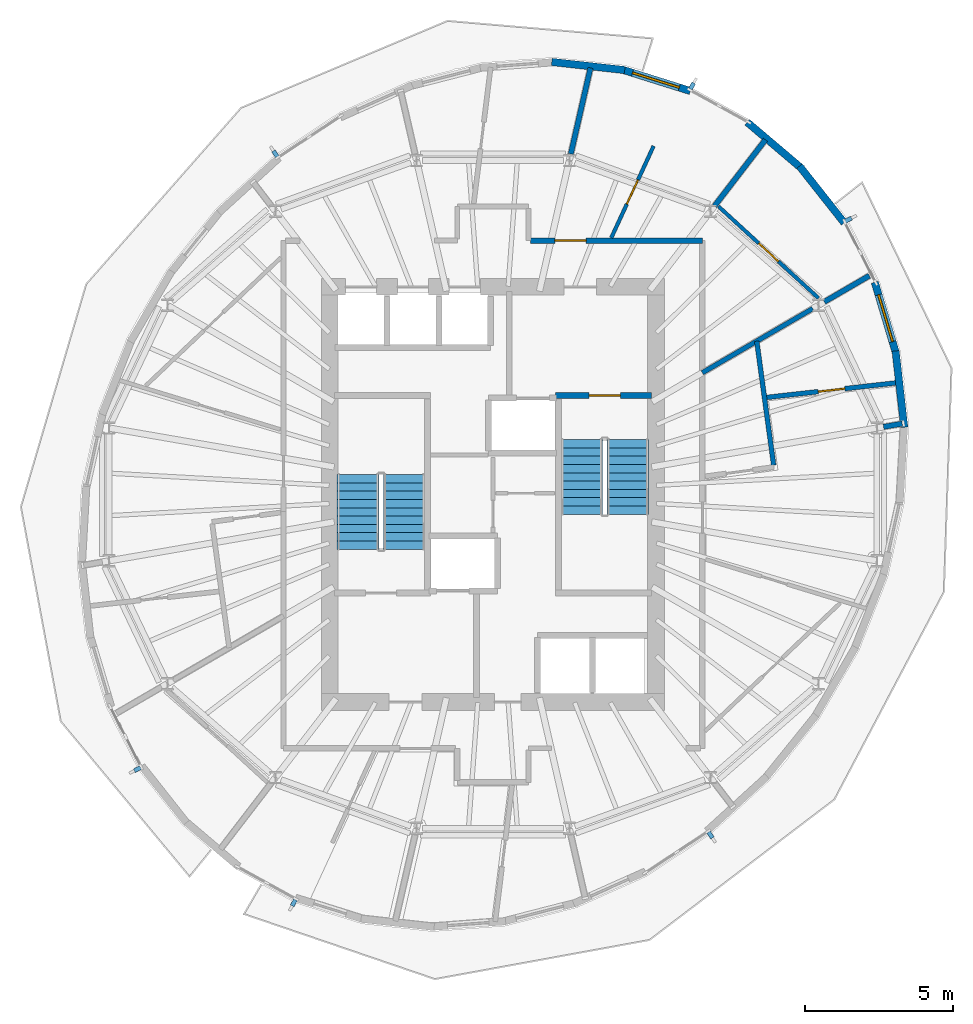
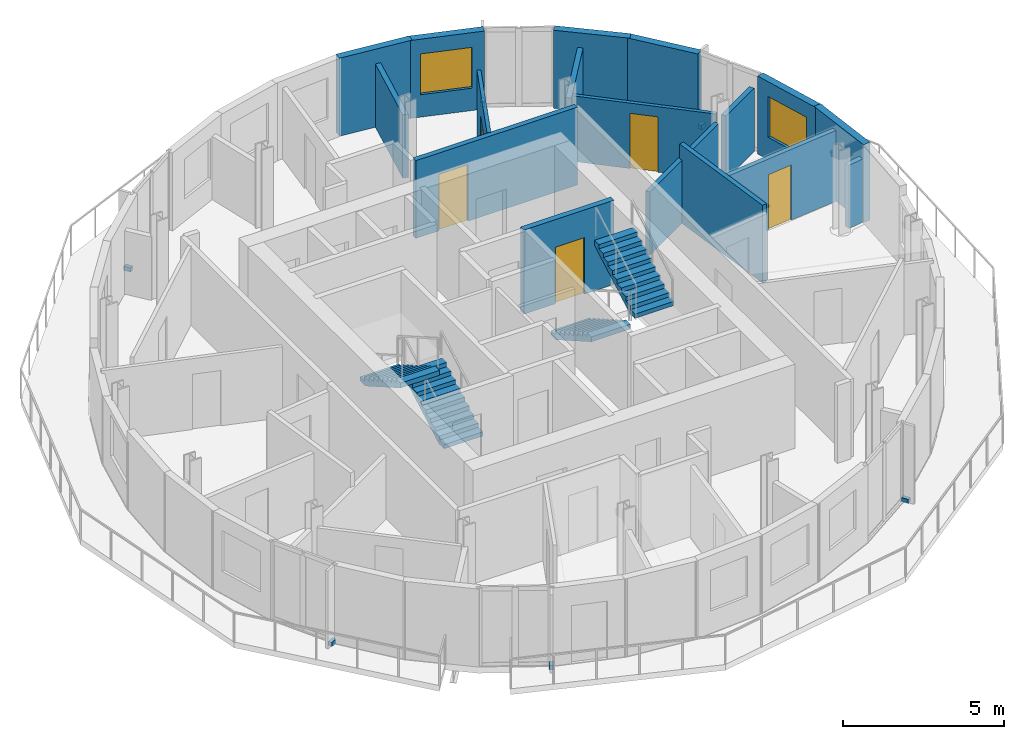
# One storey, part 7 of 11: 17 walls, 6 discrete accessories, 5 doors, 4 stair flights, 2 windows, 7 openings, 2 elements without a shape of their own.
"""IFC4 building model written with IfcOpenShell, lengths in metres."""

import ifcopenshell
import ifcopenshell.guid

model = None  # the IFC model being written
_history = None  # IfcOwnerHistory: only IFC2X3 demands one
_inside = {}  # id of a spatial element -> (the spatial element, [elements in it])
_under = {}  # id of a project, library or spatial element -> (it, [spatial elements below it])
_declared = {}  # id of a project -> (the project, [libraries it declares])
_typed = {}  # id of a type object -> (the type object, [elements of that type])
_made_of = {}  # id of a material, layer set ... -> (it, [elements and type objects made of it])


def new_model(schema):
    """Start an empty IFC model of exactly this schema.

    Asked for "IFC4X3", IfcOpenShell would pick the latest addendum, in which some entities
    have other attributes; the version numbers below select the first issue.
    IFC2X3 requires an IfcOwnerHistory on every rooted entity: one is made here for all.
    """
    global model, _history
    if schema == "IFC4X3":
        model = ifcopenshell.file(schema_version=(4, 3, 0, 0))
    else:
        model = ifcopenshell.file(schema=schema)
    _inside.clear()
    _under.clear()
    _declared.clear()
    _typed.clear()
    _made_of.clear()
    _history = None
    if model.schema == "IFC2X3":
        org = make("IfcOrganization", Name="unknown")
        user = make(
            "IfcPersonAndOrganization",
            ThePerson=make("IfcPerson", FamilyName="unknown"),
            TheOrganization=org,
        )
        app = make(
            "IfcApplication",
            ApplicationDeveloper=org,
            Version="unknown",
            ApplicationFullName="unknown",
            ApplicationIdentifier="unknown",
        )
        _history = make(
            "IfcOwnerHistory",
            OwningUser=user,
            OwningApplication=app,
            ChangeAction="ADDED",
            CreationDate=0,
        )
    return model


def make(cls, **values):
    """One entity of the class cls with the attributes given. An attribute that is None is left unset."""
    return model.create_entity(
        cls, **{name: value for name, value in values.items() if value is not None}
    )


def rooted(cls, **values):
    """An entity with a GlobalId (a new one), such as an element, a storey or a relation."""
    return make(cls, GlobalId=ifcopenshell.guid.new(), OwnerHistory=_history, **values)


def si_unit(unit_type, name, prefix=None):
    """IfcSIUnit, for example si_unit("LENGTHUNIT", "METRE", prefix="MILLI")."""
    return make("IfcSIUnit", UnitType=unit_type, Prefix=prefix, Name=name)


def assignment(units):
    """IfcUnitAssignment: the units of a project."""
    return None if units is None else make("IfcUnitAssignment", Units=units)


def point(xyz):
    """IfcCartesianPoint."""
    return None if xyz is None else make("IfcCartesianPoint", Coordinates=xyz)


def direction(xyz):
    """IfcDirection."""
    return None if xyz is None else make("IfcDirection", DirectionRatios=xyz)


def frame(location, z_axis=None, x_axis=None):
    """IfcAxis2Placement3D, a coordinate frame: its origin and axes. An axis left out is left unset."""
    return make(
        "IfcAxis2Placement3D",
        Location=point(location),
        Axis=direction(z_axis),
        RefDirection=direction(x_axis),
    )


def frame_2d(location, x_axis=None):
    """IfcAxis2Placement2D, a coordinate frame in the plane: its origin and x axis."""
    return make(
        "IfcAxis2Placement2D", Location=point(location), RefDirection=direction(x_axis)
    )


def origin():
    """The frame at (0, 0, 0) with its axes left unset."""
    return frame((0.0, 0.0, 0.0))


def origin_2d():
    """The frame at (0, 0) in the plane with its x axis left unset."""
    return frame_2d((0.0, 0.0))


def place(relative_to, where):
    """IfcLocalPlacement: puts the frame where relative to a parent placement (None: the world)."""
    return make(
        "IfcLocalPlacement", PlacementRelTo=relative_to, RelativePlacement=where
    )


def context(
    kind, dimensions, precision=None, world=None, true_north=None, identifier=None
):
    """IfcGeometricRepresentationContext, for example the 3D "Model" context."""
    return make(
        "IfcGeometricRepresentationContext",
        ContextIdentifier=identifier,
        ContextType=kind,
        CoordinateSpaceDimension=dimensions,
        Precision=precision,
        WorldCoordinateSystem=world,
        TrueNorth=true_north,
    )


def subcontext(parent, identifier, kind, view, scale=None):
    """IfcGeometricRepresentationSubContext, for example "Body" below "Model"."""
    return make(
        "IfcGeometricRepresentationSubContext",
        ContextIdentifier=identifier,
        ContextType=kind,
        ParentContext=parent,
        TargetScale=scale,
        TargetView=view,
    )


def project(units=None, contexts=None):
    """IfcProject with its units and contexts."""
    return rooted(
        "IfcProject",
        Name="project",
        RepresentationContexts=contexts,
        UnitsInContext=assignment(units),
    )


def spatial(cls, under=None, at=None, **own):
    """A site, building, storey or space (cls), placed at a placement, below another one or the project."""
    s = rooted(cls, ObjectPlacement=at, **own)
    if under is not None:
        _under.setdefault(under.id(), (under, []))[1].append(s)
    return s


def polyline(points):
    """IfcPolyline through the points."""
    return make("IfcPolyline", Points=[point(p) for p in points])


def profile(cls, at=None, kind="AREA", **sizes):
    """A parametric profile (cls). Its sizes go by their IFC names, for example OverallWidth=200.0."""
    return make(cls, ProfileType=kind, Position=at, **sizes)


def rectangle(**sizes):
    """IfcRectangleProfileDef."""
    return profile("IfcRectangleProfileDef", **sizes)


def outline(outer, holes=None, kind="AREA"):
    """IfcArbitraryClosedProfileDef: a profile drawn as a closed curve; with holes, ...WithVoids."""
    if holes is None:
        return make("IfcArbitraryClosedProfileDef", ProfileType=kind, OuterCurve=outer)
    return make(
        "IfcArbitraryProfileDefWithVoids",
        ProfileType=kind,
        OuterCurve=outer,
        InnerCurves=holes,
    )


def extrude(swept, where, along, depth):
    """IfcExtrudedAreaSolid: the profile swept, set in the frame where, extruded along a direction by depth."""
    return make(
        "IfcExtrudedAreaSolid",
        SweptArea=swept,
        Position=where,
        ExtrudedDirection=direction(along),
        Depth=depth,
    )


def shape(context_of_items, identifier, shape_type, items):
    """IfcShapeRepresentation: the items that make up one representation, for example the "Body"."""
    return make(
        "IfcShapeRepresentation",
        ContextOfItems=context_of_items,
        RepresentationIdentifier=identifier,
        RepresentationType=shape_type,
        Items=items,
    )


def material(Name=None, Category=None):
    """IfcMaterial."""
    return make("IfcMaterial", Name=Name, Category=Category)


def layer(
    of_material, thickness, ventilated=None, Name=None, Category=None, Priority=None
):
    """IfcMaterialLayer: one layer of a wall or slab, of a material (None: an air gap)."""
    return make(
        "IfcMaterialLayer",
        Material=of_material,
        LayerThickness=thickness,
        IsVentilated=ventilated,
        Name=Name,
        Category=Category,
        Priority=Priority,
    )


def layer_set(layers, Name=None):
    """IfcMaterialLayerSet."""
    return make("IfcMaterialLayerSet", MaterialLayers=layers, LayerSetName=Name)


def made_of(thing, what):
    """Note that an element or type object is made of a material, layer set ...; save() writes the relation."""
    if what is not None:
        _made_of.setdefault(what.id(), (what, []))[1].append(thing)
    return thing


def type_object(cls, material=None, **own):
    """A type object (cls), such as IfcWallType, which elements share."""
    return made_of(rooted(cls, **own), material)


def element(
    cls,
    number,
    at=None,
    inside=None,
    cuts=None,
    type_object=None,
    material=None,
    context=None,
    identifier="Body",
    shape_type=None,
    held_by="IfcProductDefinitionShape",
    body=None,
    shapes=None,
    **own,
):
    """One element of the class cls, such as IfcWall. Its Tag is "e" and its number.

    at: its placement. inside: the storey or other place that contains it. cuts: it is an
    opening in that element (IfcRelVoidsElement). A single representation is given by context,
    identifier, shape_type and body (its items); several are given by shapes. held_by: the class
    of the entity that holds the representations. save() writes the other relations.
    """
    e = rooted(cls, Tag="e%d" % number, ObjectPlacement=at, **own)
    if body is not None:
        shapes = [shape(context, identifier, shape_type, body)]
    if shapes is not None:
        e.Representation = make(held_by, Representations=shapes)
    if inside is not None:
        _inside.setdefault(inside.id(), (inside, []))[1].append(e)
    if cuts is not None:
        rooted(
            "IfcRelVoidsElement", RelatingBuildingElement=cuts, RelatedOpeningElement=e
        )
    if type_object is not None:
        _typed.setdefault(type_object.id(), (type_object, []))[1].append(e)
    return made_of(e, material)


def fill(opening, filler):
    """IfcRelFillsElement: the door or window that sits in an opening."""
    return rooted(
        "IfcRelFillsElement",
        RelatingOpeningElement=opening,
        RelatedBuildingElement=filler,
    )


def aggregate(whole, parts):
    """IfcRelAggregates: a whole, such as a stair, and the parts it consists of."""
    return rooted("IfcRelAggregates", RelatingObject=whole, RelatedObjects=parts)


def save(model, path):
    """Write the relations noted so far, then the file.

    IfcRelAggregates (storeys below a building ...), IfcRelContainedInSpatialStructure (elements
    in a storey), IfcRelDefinesByType, IfcRelAssociatesMaterial and IfcRelDeclares: one each for
    every whole, place, type object, material and project.
    """
    for whole, parts in _under.values():
        aggregate(whole, parts)
    for where, things in _inside.values():
        rooted(
            "IfcRelContainedInSpatialStructure",
            RelatedElements=things,
            RelatingStructure=where,
        )
    for kind, things in _typed.values():
        rooted("IfcRelDefinesByType", RelatedObjects=things, RelatingType=kind)
    for what, things in _made_of.values():
        rooted("IfcRelAssociatesMaterial", RelatedObjects=things, RelatingMaterial=what)
    for by, libraries in _declared.values():
        rooted("IfcRelDeclares", RelatingContext=by, RelatedDefinitions=libraries)
    model.write(path)


model = new_model("IFC4")

# Units and contexts
model_context = context("Model", 3, precision=1e-05, world=origin(), true_north=direction((0.0, 1.0)))
body_context = subcontext(model_context, "Body", "Model", "MODEL_VIEW")
ifc_project = project(units=[si_unit("LENGTHUNIT", "METRE"), si_unit("AREAUNIT", "SQUARE_METRE"), si_unit("VOLUMEUNIT", "CUBIC_METRE"), si_unit("PLANEANGLEUNIT", "RADIAN"), si_unit("MASSUNIT", "GRAM", prefix="KILO")], contexts=[model_context])

# Site, building, storey
site_placement = place(None, origin())
site = spatial("IfcSite", under=ifc_project, at=site_placement, CompositionType="ELEMENT")
building_placement = place(site_placement, origin())
building = spatial("IfcBuilding", under=site, at=building_placement, Name="Veldorim Arch Residences", CompositionType="ELEMENT")
storey_placement = place(building_placement, frame((0.0, 0.0, 223.840087890625)))
storey = spatial("IfcBuildingStorey", under=building, at=storey_placement, Name="L67", CompositionType="ELEMENT", Elevation=223.840087890625)

# Wall, opening, door
ifc_material_1 = material(Name="Acoustic Gypsum Board", Category="gypsum")
ifc_layer_1 = layer(ifc_material_1, 0.125, Name="Acoustic Stud Room Partition Wall 125")
ifc_layer_set_1 = layer_set([ifc_layer_1], Name="Acoustic Gypsum Board")
wall_type_1 = type_object("IfcWallType", Name="Acoustic Stud Room Partition Wall 125", PredefinedType="PARTITIONING", material=ifc_layer_set_1)
wall_1_placement = place(storey_placement, frame((37.417236328125, 35.74658203125, 0.0), z_axis=(0.0, 0.0, 1.0), x_axis=(-0.41880384085, -0.908076727424, 0.0)))
wall_1 = element("IfcWall", 1, at=wall_1_placement, inside=storey, type_object=wall_type_1, Name="L67 interior wall WL-RES-L67-027", PredefinedType="PARTITIONING", context=body_context, shape_type="SweptSolid", body=[
    extrude(rectangle(XDim=3.4091796875, YDim=0.125, at=frame_2d((1.70458984375, 0.0))), origin(), (0.0, 0.0, 1.0), 2.954833984375),
])
opening_1_placement = place(wall_1_placement, frame((1.254638671875, 0.0, 0.0)))
opening_1 = element("IfcOpeningElement", 2, at=opening_1_placement, cuts=wall_1, Name="Opening DR-INT", PredefinedType="OPENING", context=body_context, shape_type="SweptSolid", body=[
    extrude(rectangle(XDim=0.89990234375, YDim=2.10009765625, at=frame_2d((0.449951171875, 1.050048828125))), frame((0.0, 0.072509765625, 0.0), z_axis=(0.0, -1.0, 0.0), x_axis=(1.0, 0.0, 0.0)), (0.0, 0.0, 1.0), 0.14501953125),
])
ifc_material_2 = material(Name="Engineered Timber", Category="wood")
door_type_1 = type_object("IfcDoorType", Name="Apartment Internal Room Timber Door 900x2100", OperationType="SINGLE_SWING_LEFT", PredefinedType="DOOR", material=ifc_material_2)
door_1_placement = place(opening_1_placement, origin())
door_1 = element("IfcDoor", 3, at=door_1_placement, inside=storey, type_object=door_type_1, Name="L67 interior door DR-RES-L67-012", OperationType="SINGLE_SWING_RIGHT", OverallHeight=2.10009765625, OverallWidth=0.89990234375, PredefinedType="DOOR", context=body_context, shape_type="SweptSolid", body=[
    extrude(rectangle(XDim=0.89990234375, YDim=2.10009765625, at=frame_2d((0.449951171875, 1.050048828125))), frame((0.0, 0.02490234375, 0.0), z_axis=(0.0, -1.0, 0.0), x_axis=(1.0, 0.0, 0.0)), (0.0, 0.0, 1.0), 0.050048828125),
])
fill(opening_1, door_1)

wall_2_placement = place(storey_placement, frame((39.606689453125, 33.7119140625, 0.0), z_axis=(0.0, 0.0, 1.0), x_axis=(0.736828890574, -0.676079274949, 0.0)))
wall_2 = element("IfcWall", 4, at=wall_2_placement, inside=storey, type_object=wall_type_1, Name="L67 interior wall WL-RES-L67-028", PredefinedType="PARTITIONING", context=body_context, shape_type="SweptSolid", body=[
    extrude(rectangle(XDim=4.58154296875, YDim=0.125, at=frame_2d((2.290771484375, 0.0))), origin(), (0.0, 0.0, 1.0), 2.48779296875),
])
opening_2_placement = place(wall_2_placement, frame((1.8408203125, 0.0, 0.0)))
opening_2 = element("IfcOpeningElement", 5, at=opening_2_placement, cuts=wall_2, Name="Opening DR-INT", PredefinedType="OPENING", context=body_context, shape_type="SweptSolid", body=[
    extrude(rectangle(XDim=0.89990234375, YDim=2.10009765625, at=frame_2d((0.449951171875, 1.050048828125))), frame((0.0, 0.072509765625, 0.0), z_axis=(0.0, -1.0, 0.0), x_axis=(1.0, 0.0, 0.0)), (0.0, 0.0, 1.0), 0.14501953125),
])
door_2_placement = place(opening_2_placement, origin())
door_2 = element("IfcDoor", 6, at=door_2_placement, inside=storey, type_object=door_type_1, Name="L67 interior door DR-RES-L67-013", OperationType="SINGLE_SWING_LEFT", OverallHeight=2.10009765625, OverallWidth=0.89990234375, PredefinedType="DOOR", context=body_context, shape_type="SweptSolid", body=[
    extrude(rectangle(XDim=0.89990234375, YDim=2.10009765625, at=frame_2d((0.449951171875, 1.050048828125))), frame((0.0, 0.02490234375, 0.0), z_axis=(0.0, -1.0, 0.0), x_axis=(1.0, 0.0, 0.0)), (0.0, 0.0, 1.0), 0.050048828125),
])
fill(opening_2, door_2)

# Walls
ifc_material_3 = material(Name="Lightweight Masonry Block & Gypsum", Category="masonry")
ifc_layer_2 = layer(ifc_material_3, 0.179931640625, Name="Compartment & Corridor Fire-Rated Party Wall 180")
ifc_layer_set_2 = layer_set([ifc_layer_2], Name="Lightweight Masonry Block & Gypsum")
wall_type_2 = type_object("IfcWallType", Name="Compartment & Corridor Fire-Rated Party Wall 180", PredefinedType="PARTITIONING", material=ifc_layer_set_2)
wall_3_placement = place(storey_placement, frame((45.172607421875, 26.27880859375, 0.0), z_axis=(0.0, 0.0, 1.0), x_axis=(0.985371537423, 0.170419873359, 0.0)))
element("IfcWall", 7, at=wall_3_placement, inside=storey, type_object=wall_type_2, Name="L67 interior wall WL-PIER-L67-01", PredefinedType="PARTITIONING", context=body_context, shape_type="SweptSolid", body=[
    extrude(rectangle(XDim=0.637451171875, YDim=0.179931640625, at=frame_2d((0.31884765625, 0.0))), origin(), (0.0, 0.0, 1.0), 2.4033203125),
])
wall_4_placement = place(storey_placement, frame((43.173828125, 30.4931640625, 0.0), z_axis=(0.0, 0.0, 1.0), x_axis=(0.864599922959, 0.502460917106, 0.0)))
element("IfcWall", 8, at=wall_4_placement, inside=storey, type_object=wall_type_2, Name="L67 interior wall WL-PIER-L67-02", PredefinedType="PARTITIONING", context=body_context, shape_type="SweptSolid", body=[
    extrude(rectangle(XDim=1.755615234375, YDim=0.179931640625, at=frame_2d((0.8779296875, 0.0))), origin(), (0.0, 0.0, 1.0), 2.4033203125),
])
wall_5_placement = place(storey_placement, frame((39.473388671875, 33.727294921875, 0.0), z_axis=(0.0, 0.0, 1.0), x_axis=(0.609232660573, 0.792991529142, 0.0)))
element("IfcWall", 9, at=wall_5_placement, inside=storey, type_object=wall_type_2, Name="L67 interior wall WL-PIER-L67-03", PredefinedType="PARTITIONING", context=body_context, shape_type="SweptSolid", body=[
    extrude(rectangle(XDim=2.81396484375, YDim=0.179931640625, at=frame_2d((1.406982421875, 0.0))), origin(), (0.0, 0.0, 1.0), 2.4033203125),
])
wall_6_placement = place(storey_placement, frame((34.62646484375, 35.483154296875, 0.0), z_axis=(0.0, 0.0, 1.0), x_axis=(0.22291168124, 0.974838644272, 0.0)))
element("IfcWall", 10, at=wall_6_placement, inside=storey, type_object=wall_type_2, Name="L67 interior wall WL-PIER-L67-04", PredefinedType="PARTITIONING", context=body_context, shape_type="SweptSolid", body=[
    extrude(rectangle(XDim=2.975830078125, YDim=0.179931640625, at=frame_2d((1.48779296875, 0.0))), origin(), (0.0, 0.0, 1.0), 2.4033203125),
])

# Wall, opening, door
wall_7_placement = place(storey_placement, frame((33.260009765625, 32.56005859375, 0.0), z_axis=(0.0, 0.0, 1.0), x_axis=(1.0, 0.0, 0.0)))
wall_7 = element("IfcWall", 11, at=wall_7_placement, inside=storey, type_object=wall_type_2, Name="L67 interior wall WL-RES-L67-011", PredefinedType="PARTITIONING", context=body_context, shape_type="SweptSolid", body=[
    extrude(rectangle(XDim=5.800048828125, YDim=0.179931640625, at=frame_2d((2.89990234375, 0.0))), origin(), (0.0, 0.0, 1.0), 2.954833984375),
])
opening_3_placement = place(wall_7_placement, frame((0.829833984375, 0.0, 0.0)))
opening_3 = element("IfcOpeningElement", 12, at=opening_3_placement, cuts=wall_7, Name="Opening DR-FLT", PredefinedType="OPENING", context=body_context, shape_type="SweptSolid", body=[
    extrude(rectangle(XDim=1.050048828125, YDim=2.14990234375, at=frame_2d((0.52490234375, 1.074951171875))), frame((0.0, 0.099853515625, 0.0), z_axis=(0.0, -1.0, 0.0), x_axis=(1.0, 0.0, 0.0)), (0.0, 0.0, 1.0), 0.199951171875),
])
ifc_material_4 = material(Name="Fire-Rated Timber", Category="wood")
door_type_2 = type_object("IfcDoorType", Name="Apartment Entrance Solid-Core Fire Door 1050x2150", OperationType="SINGLE_SWING_LEFT", PredefinedType="DOOR", material=ifc_material_4)
door_3_placement = place(opening_3_placement, origin())
door_3 = element("IfcDoor", 13, at=door_3_placement, inside=storey, type_object=door_type_2, Name="L67 interior door DR-RES-L67-010", OperationType="SINGLE_SWING_RIGHT", OverallHeight=2.14990234375, OverallWidth=1.050048828125, PredefinedType="DOOR", context=body_context, shape_type="SweptSolid", body=[
    extrude(rectangle(XDim=1.050048828125, YDim=2.14990234375, at=frame_2d((0.52490234375, 1.074951171875))), frame((0.0, 0.02490234375, 0.0), z_axis=(0.0, -1.0, 0.0), x_axis=(1.0, 0.0, 0.0)), (0.0, 0.0, 1.0), 0.050048828125),
])
fill(opening_3, door_3)

ifc_material_5 = material(Name="Concrete C50/60", Category="concrete")
ifc_layer_3 = layer(ifc_material_5, 0.199951171875, Name="Core Stair & Lift Shaft Enclosure Wall 200")
ifc_layer_set_3 = layer_set([ifc_layer_3], Name="Concrete C50/60")
wall_type_3 = type_object("IfcWallType", Name="Core Stair & Lift Shaft Enclosure Wall 200", PredefinedType="SHEAR", material=ifc_layer_set_3)
wall_8_placement = place(storey_placement, frame((34.110107421875, 27.330078125, 0.0), z_axis=(0.0, 0.0, 1.0), x_axis=(1.0, 0.0, 0.0)))
wall_8 = element("IfcWall", 14, at=wall_8_placement, inside=storey, type_object=wall_type_3, Name="L67 shaft wall WL-SHF-L67-ST2-N", PredefinedType="SHEAR", context=body_context, shape_type="SweptSolid", body=[
    extrude(rectangle(XDim=3.239990234375, YDim=0.199951171875, at=frame_2d((1.6201171875, 0.0))), origin(), (0.0, 0.0, 1.0), 3.199951171875),
])
opening_4_placement = place(wall_8_placement, frame((1.135009765625, 0.0, 0.0)))
opening_4 = element("IfcOpeningElement", 15, at=opening_4_placement, cuts=wall_8, Name="Opening DR-ST", PredefinedType="OPENING", context=body_context, shape_type="SweptSolid", body=[
    extrude(rectangle(XDim=1.050048828125, YDim=2.14990234375, at=frame_2d((0.52490234375, 1.074951171875))), frame((0.0, 0.10986328125, 0.0), z_axis=(0.0, -1.0, 0.0), x_axis=(1.0, 0.0, 0.0)), (0.0, 0.0, 1.0), 0.219970703125),
])
ifc_material_6 = material(Name="Fire-Rated Steel", Category="steel")
door_type_3 = type_object("IfcDoorType", Name="Exit Staircase Self-Closing Fire Door 1050x2150", OperationType="SINGLE_SWING_LEFT", PredefinedType="DOOR", material=ifc_material_6)
door_4_placement = place(opening_4_placement, origin())
door_4 = element("IfcDoor", 16, at=door_4_placement, inside=storey, type_object=door_type_3, Name="L67 interior door DR-L67-ST2", OperationType="SINGLE_SWING_RIGHT", OverallHeight=2.14990234375, OverallWidth=1.050048828125, PredefinedType="DOOR", context=body_context, shape_type="SweptSolid", body=[
    extrude(rectangle(XDim=1.050048828125, YDim=2.14990234375, at=frame_2d((0.52490234375, 1.074951171875))), frame((0.0, 0.02490234375, 0.0), z_axis=(0.0, -1.0, 0.0), x_axis=(1.0, 0.0, 0.0)), (0.0, 0.0, 1.0), 0.050048828125),
])
fill(opening_4, door_4)

# Wall, opening, window
ifc_material_7 = material(Name="Precast concrete C40/50", Category="concrete")
ifc_layer_4 = layer(ifc_material_7, 0.25, Name="Tower Terracotta Spandrel & Pier Wall 250")
ifc_layer_set_4 = layer_set([ifc_layer_4], Name="Precast concrete C40/50")
wall_type_4 = type_object("IfcWallType", Name="Tower Terracotta Spandrel & Pier Wall 250", PredefinedType="SOLIDWALL", material=ifc_layer_set_4)
wall_9_placement = place(storey_placement, frame((36.334228515625, 38.334228515625, 0.0), z_axis=(0.0, 0.0, 1.0), x_axis=(0.95407801166, -0.299558254212, 0.0)))
wall_9 = element("IfcWall", 17, at=wall_9_placement, inside=storey, type_object=wall_type_4, Name="L67 terracotta facade wall 02", PredefinedType="SOLIDWALL", context=body_context, shape_type="SweptSolid", body=[
    extrude(rectangle(XDim=2.436767578125, YDim=0.25, at=frame_2d((1.21826171875, 0.0))), origin(), (0.0, 0.0, 1.0), 2.9599609375),
])
opening_5_placement = place(wall_9_placement, frame((0.39306640625, 0.0, 0.85009765625)))
opening_5 = element("IfcOpeningElement", 18, at=opening_5_placement, cuts=wall_9, Name="Opening WN-03", PredefinedType="OPENING", context=body_context, shape_type="SweptSolid", body=[
    extrude(rectangle(XDim=1.64990234375, YDim=1.550048828125, at=frame_2d((0.824951171875, 0.77490234375))), frame((0.0, 0.135009765625, 0.0), z_axis=(0.0, -1.0, 0.0), x_axis=(1.0, 0.0, 0.0)), (0.0, 0.0, 1.0), 0.27001953125),
])
ifc_material_8 = material(Name="Laminated Low-E Glass", Category="glass")
window_type = type_object("IfcWindowType", Name="Residential Wide Window 1650x1550", PartitioningType="SINGLE_PANEL", PredefinedType="WINDOW", material=ifc_material_8)
window_1_placement = place(opening_5_placement, origin())
window_1 = element("IfcWindow", 19, at=window_1_placement, inside=storey, type_object=window_type, Name="L67 solar-control facade window 02", OverallHeight=1.550048828125, OverallWidth=1.64990234375, PartitioningType="SINGLE_PANEL", PredefinedType="WINDOW", context=body_context, shape_type="SweptSolid", body=[
    extrude(rectangle(XDim=1.64990234375, YDim=1.550048828125, at=frame_2d((0.824951171875, 0.77490234375))), frame((0.0, 0.030029296875, 0.0), z_axis=(0.0, -1.0, 0.0), x_axis=(1.0, 0.0, 0.0)), (0.0, 0.0, 1.0), 0.06005859375),
])
fill(opening_5, window_1)

# Walls
wall_10_placement = place(storey_placement, frame((33.98291015625, 38.5849609375, 0.0), z_axis=(0.0, 0.0, 1.0), x_axis=(0.993859679734, -0.110647806121, 0.0)))
element("IfcWall", 20, at=wall_10_placement, inside=storey, type_object=wall_type_4, Name="L67 terracotta facade wall 03", PredefinedType="SOLIDWALL", context=body_context, shape_type="SweptSolid", body=[
    extrude(rectangle(XDim=2.477783203125, YDim=0.25, at=frame_2d((1.23876953125, 0.0))), origin(), (0.0, 0.0, 1.0), 2.9599609375),
])
wall_11_placement = place(storey_placement, frame((45.5791015625, 28.838623046875, 0.0), z_axis=(0.0, 0.0, 1.0), x_axis=(0.112260931198, -0.993678762642, 0.0)))
element("IfcWall", 21, at=wall_11_placement, inside=storey, type_object=wall_type_4, Name="L67 terracotta facade wall 32", PredefinedType="SOLIDWALL", context=body_context, shape_type="SweptSolid", body=[
    extrude(rectangle(XDim=2.59228515625, YDim=0.25, at=frame_2d((1.296142578125, 0.0))), origin(), (0.0, 0.0, 1.0), 2.9599609375),
])

# Wall, opening, window
wall_12_placement = place(storey_placement, frame((44.87841796875, 31.155517578125, 0.0), z_axis=(0.0, 0.0, 1.0), x_axis=(0.285604720301, -0.958347506775, 0.0)))
wall_12 = element("IfcWall", 22, at=wall_12_placement, inside=storey, type_object=wall_type_4, Name="L67 terracotta facade wall 33", PredefinedType="SOLIDWALL", context=body_context, shape_type="SweptSolid", body=[
    extrude(rectangle(XDim=2.531982421875, YDim=0.25, at=frame_2d((1.26611328125, 0.0))), origin(), (0.0, 0.0, 1.0), 2.9599609375),
])
opening_6_placement = place(wall_12_placement, frame((0.44091796875, 0.0, 0.85009765625)))
opening_6 = element("IfcOpeningElement", 23, at=opening_6_placement, cuts=wall_12, Name="Opening WN-03", PredefinedType="OPENING", context=body_context, shape_type="SweptSolid", body=[
    extrude(rectangle(XDim=1.64990234375, YDim=1.550048828125, at=frame_2d((0.824951171875, 0.77490234375))), frame((0.0, 0.135009765625, 0.0), z_axis=(0.0, -1.0, 0.0), x_axis=(1.0, 0.0, 0.0)), (0.0, 0.0, 1.0), 0.27001953125),
])
window_2_placement = place(opening_6_placement, origin())
window_2 = element("IfcWindow", 24, at=window_2_placement, inside=storey, type_object=window_type, Name="L67 solar-control facade window 33", OverallHeight=1.550048828125, OverallWidth=1.64990234375, PartitioningType="SINGLE_PANEL", PredefinedType="WINDOW", context=body_context, shape_type="SweptSolid", body=[
    extrude(rectangle(XDim=1.64990234375, YDim=1.550048828125, at=frame_2d((0.824951171875, 0.77490234375))), frame((0.0, 0.030029296875, 0.0), z_axis=(0.0, -1.0, 0.0), x_axis=(1.0, 0.0, 0.0)), (0.0, 0.0, 1.0), 0.06005859375),
])
fill(opening_6, window_2)

# Walls
wall_13_placement = place(storey_placement, frame((42.33740234375, 35.070556640625, 0.0), z_axis=(0.0, 0.0, 1.0), x_axis=(0.619881401672, -0.784695512833, 0.0)))
element("IfcWall", 25, at=wall_13_placement, inside=storey, type_object=wall_type_4, Name="L67 terracotta facade wall 35", PredefinedType="SOLIDWALL", context=body_context, shape_type="SweptSolid", body=[
    extrude(rectangle(XDim=2.436767578125, YDim=0.25, at=frame_2d((1.21826171875, 0.0))), origin(), (0.0, 0.0, 1.0), 2.9599609375),
])
wall_14_placement = place(storey_placement, frame((40.575439453125, 36.55029296875, 0.0), z_axis=(0.0, 0.0, 1.0), x_axis=(0.762614923672, -0.646852748462, 0.0)))
element("IfcWall", 26, at=wall_14_placement, inside=storey, type_object=wall_type_4, Name="L67 terracotta facade wall 36", PredefinedType="SOLIDWALL", context=body_context, shape_type="SweptSolid", body=[
    extrude(rectangle(XDim=2.414794921875, YDim=0.25, at=frame_2d((1.20751953125, 0.0))), origin(), (0.0, 0.0, 1.0), 2.9599609375),
])

# Wall, opening, door
ifc_material_9 = material(Name="Moisture-Resistant Gypsum & Stud", Category="gypsum")
ifc_layer_5 = layer(ifc_material_9, 0.159912109375, Name="Wet-Area Moisture-Resistant Plumbing Wall 160")
ifc_layer_set_5 = layer_set([ifc_layer_5], Name="Moisture-Resistant Gypsum & Stud")
wall_type_5 = type_object("IfcWallType", Name="Wet-Area Moisture-Resistant Plumbing Wall 160", PredefinedType="PLUMBINGWALL", material=ifc_layer_set_5)
wall_15_placement = place(storey_placement, frame((41.15625, 27.262451171875, 0.0), z_axis=(0.0, 0.0, 1.0), x_axis=(0.993735184374, 0.111760383578, 0.0)))
wall_15 = element("IfcWall", 27, at=wall_15_placement, inside=storey, type_object=wall_type_5, Name="L67 interior wall WL-RES-L67-020", PredefinedType="PLUMBINGWALL", context=body_context, shape_type="SweptSolid", body=[
    extrude(rectangle(XDim=4.556884765625, YDim=0.159912109375, at=frame_2d((2.2783203125, 0.0))), origin(), (0.0, 0.0, 1.0), 2.69189453125),
])
opening_7_placement = place(wall_15_placement, frame((1.82861328125, 0.0, 0.0)))
opening_7 = element("IfcOpeningElement", 28, at=opening_7_placement, cuts=wall_15, Name="Opening DR-WC", PredefinedType="OPENING", context=body_context, shape_type="SweptSolid", body=[
    extrude(rectangle(XDim=0.89990234375, YDim=2.10009765625, at=frame_2d((0.449951171875, 1.050048828125))), frame((0.0, 0.08984375, 0.0), z_axis=(0.0, -1.0, 0.0), x_axis=(1.0, 0.0, 0.0)), (0.0, 0.0, 1.0), 0.179931640625),
])
ifc_material_10 = material(Name="Laminate Timber", Category="wood")
door_type_4 = type_object("IfcDoorType", Name="Bathroom & Accessible WC Moisture-Sealed Door 900x2100", OperationType="SINGLE_SWING_LEFT", PredefinedType="DOOR", material=ifc_material_10)
door_5_placement = place(opening_7_placement, origin())
door_5 = element("IfcDoor", 29, at=door_5_placement, inside=storey, type_object=door_type_4, Name="L67 interior door DR-RES-L67-006", OperationType="SINGLE_SWING_RIGHT", OverallHeight=2.10009765625, OverallWidth=0.89990234375, PredefinedType="DOOR", context=body_context, shape_type="SweptSolid", body=[
    extrude(rectangle(XDim=0.89990234375, YDim=2.10009765625, at=frame_2d((0.449951171875, 1.050048828125))), frame((0.0, 0.02490234375, 0.0), z_axis=(0.0, -1.0, 0.0), x_axis=(1.0, 0.0, 0.0)), (0.0, 0.0, 1.0), 0.050048828125),
])
fill(opening_7, door_5)

# Walls
wall_16_placement = place(storey_placement, frame((41.467041015625, 24.9853515625, 0.0), z_axis=(0.0, 0.0, 1.0), x_axis=(-0.135218975067, 0.990815739066, 0.0)))
element("IfcWall", 30, at=wall_16_placement, inside=storey, type_object=wall_type_5, Name="L67 interior wall WL-RES-L67-023", PredefinedType="PLUMBINGWALL", context=body_context, shape_type="SweptSolid", body=[
    extrude(rectangle(XDim=4.22314453125, YDim=0.159912109375, at=frame_2d((2.111572265625, 0.0))), origin(), (0.0, 0.0, 1.0), 2.954833984375),
])
wall_17_placement = place(storey_placement, frame((39.06005859375, 28.1025390625, 0.0), z_axis=(0.0, 0.0, 1.0), x_axis=(0.864618907014, 0.502428249239, 0.0)))
element("IfcWall", 31, at=wall_17_placement, inside=storey, type_object=wall_type_5, Name="L67 interior wall WL-RES-L67-024", PredefinedType="PLUMBINGWALL", context=body_context, shape_type="SweptSolid", body=[
    extrude(rectangle(XDim=4.30517578125, YDim=0.159912109375, at=frame_2d((2.152587890625, 0.0))), origin(), (0.0, 0.0, 1.0), 2.4033203125),
])

# Stair, stair flights
ifc_material_11 = material(Name="Concrete C40/50", Category="concrete")
stair_type = type_object("IfcStairType", Name="Reinforced Concrete Dogleg Exit Staircase", PredefinedType="HALF_TURN_STAIR", material=ifc_material_11)
stair_1_placement = place(storey_placement, origin())
stair_1 = element("IfcStair", 32, at=stair_1_placement, inside=storey, type_object=stair_type, Name="L67 Exit Staircase ST-1", PredefinedType="HALF_TURN_STAIR")
ifc_material_12 = material(Name="Concrete C40/50", Category="concrete")
stair_flight_type = type_object("IfcStairFlightType", Name="Reinforced Concrete Stair Flight 1400", PredefinedType="STRAIGHT", material=ifc_material_12)
stair_flight_1_placement = place(storey_placement, frame((29.010009765625, 22.14990234375, 0.0), z_axis=(0.0, 0.0, 1.0), x_axis=(0.0, 1.0, 0.0)))
stair_flight_1 = element("IfcStairFlight", 33, at=stair_flight_1_placement, type_object=stair_flight_type, Name="ST-1 flight 1", NumberOfRisers=10, NumberOfTreads=9, PredefinedType="STRAIGHT", RiserHeight=0.16, TreadLength=0.28, context=body_context, shape_type="SweptSolid", body=[
    extrude(outline(polyline([(0.0, 0.0), (0.0, 0.159912109375), (0.280029296875, 0.159912109375), (0.280029296875, 0.320068359375), (0.56005859375, 0.320068359375), (0.56005859375, 0.47998046875), (0.840087890625, 0.47998046875), (0.840087890625, 0.639892578125), (1.1201171875, 0.639892578125), (1.1201171875, 0.800048828125), (1.39990234375, 0.800048828125), (1.39990234375, 0.9599609375), (1.679931640625, 0.9599609375), (1.679931640625, 1.1201171875), (1.9599609375, 1.1201171875), (1.9599609375, 1.280029296875), (2.239990234375, 1.280029296875), (2.239990234375, 1.43994140625), (2.52001953125, 1.43994140625), (2.52001953125, 1.60009765625), (2.52001953125, 1.255859375), (0.322265625, 0.0), (0.0, 0.0)])), frame((0.0, 0.699951171875, 0.0), z_axis=(0.0, -1.0, 0.0), x_axis=(1.0, 0.0, 0.0)), (0.0, 0.0, 1.0), 1.39990234375),
])
stair_flight_2_placement = place(storey_placement, frame((27.449951171875, 24.669921875, 1.599853515625), z_axis=(0.0, 0.0, 1.0), x_axis=(0.0, -1.0, 0.0)))
stair_flight_2 = element("IfcStairFlight", 34, at=stair_flight_2_placement, type_object=stair_flight_type, Name="ST-1 flight 2", NumberOfRisers=10, NumberOfTreads=9, PredefinedType="STRAIGHT", RiserHeight=0.16, TreadLength=0.28, context=body_context, shape_type="SweptSolid", body=[
    extrude(outline(polyline([(0.0, 0.0), (0.0, 0.159912109375), (0.280029296875, 0.159912109375), (0.280029296875, 0.320068359375), (0.56005859375, 0.320068359375), (0.56005859375, 0.47998046875), (0.840087890625, 0.47998046875), (0.840087890625, 0.639892578125), (1.1201171875, 0.639892578125), (1.1201171875, 0.800048828125), (1.39990234375, 0.800048828125), (1.39990234375, 0.9599609375), (1.679931640625, 0.9599609375), (1.679931640625, 1.1201171875), (1.9599609375, 1.1201171875), (1.9599609375, 1.280029296875), (2.239990234375, 1.280029296875), (2.239990234375, 1.43994140625), (2.52001953125, 1.43994140625), (2.52001953125, 1.60009765625), (2.52001953125, 1.255859375), (0.322265625, 0.0), (0.0, 0.0)])), frame((0.0, 0.699951171875, 0.0), z_axis=(0.0, -1.0, 0.0), x_axis=(1.0, 0.0, 0.0)), (0.0, 0.0, 1.0), 1.39990234375),
])
aggregate(stair_1, [stair_flight_1, stair_flight_2])

stair_2_placement = place(storey_placement, origin())
stair_2 = element("IfcStair", 35, at=stair_2_placement, inside=storey, type_object=stair_type, Name="L67 Exit Staircase ST-2", PredefinedType="HALF_TURN_STAIR")
stair_flight_3_placement = place(storey_placement, frame((34.989990234375, 25.85009765625, 0.0), z_axis=(0.0, 0.0, 1.0), x_axis=(0.0, -1.0, 0.0)))
stair_flight_3 = element("IfcStairFlight", 36, at=stair_flight_3_placement, type_object=stair_flight_type, Name="ST-2 flight 1", NumberOfRisers=10, NumberOfTreads=9, PredefinedType="STRAIGHT", RiserHeight=0.16, TreadLength=0.28, context=body_context, shape_type="SweptSolid", body=[
    extrude(outline(polyline([(0.0, 0.0), (0.0, 0.159912109375), (0.280029296875, 0.159912109375), (0.280029296875, 0.320068359375), (0.56005859375, 0.320068359375), (0.56005859375, 0.47998046875), (0.840087890625, 0.47998046875), (0.840087890625, 0.639892578125), (1.1201171875, 0.639892578125), (1.1201171875, 0.800048828125), (1.39990234375, 0.800048828125), (1.39990234375, 0.9599609375), (1.679931640625, 0.9599609375), (1.679931640625, 1.1201171875), (1.9599609375, 1.1201171875), (1.9599609375, 1.280029296875), (2.239990234375, 1.280029296875), (2.239990234375, 1.43994140625), (2.52001953125, 1.43994140625), (2.52001953125, 1.60009765625), (2.52001953125, 1.255859375), (0.322265625, 0.0), (0.0, 0.0)])), frame((0.0, 0.699951171875, 0.0), z_axis=(0.0, -1.0, 0.0), x_axis=(1.0, 0.0, 0.0)), (0.0, 0.0, 1.0), 1.39990234375),
])
stair_flight_4_placement = place(storey_placement, frame((36.550048828125, 23.330078125, 1.599853515625), z_axis=(0.0, 0.0, 1.0), x_axis=(0.0, 1.0, 0.0)))
stair_flight_4 = element("IfcStairFlight", 37, at=stair_flight_4_placement, type_object=stair_flight_type, Name="ST-2 flight 2", NumberOfRisers=10, NumberOfTreads=9, PredefinedType="STRAIGHT", RiserHeight=0.16, TreadLength=0.28, context=body_context, shape_type="SweptSolid", body=[
    extrude(outline(polyline([(0.0, 0.0), (0.0, 0.159912109375), (0.280029296875, 0.159912109375), (0.280029296875, 0.320068359375), (0.56005859375, 0.320068359375), (0.56005859375, 0.47998046875), (0.840087890625, 0.47998046875), (0.840087890625, 0.639892578125), (1.1201171875, 0.639892578125), (1.1201171875, 0.800048828125), (1.39990234375, 0.800048828125), (1.39990234375, 0.9599609375), (1.679931640625, 0.9599609375), (1.679931640625, 1.1201171875), (1.9599609375, 1.1201171875), (1.9599609375, 1.280029296875), (2.239990234375, 1.280029296875), (2.239990234375, 1.43994140625), (2.52001953125, 1.43994140625), (2.52001953125, 1.60009765625), (2.52001953125, 1.255859375), (0.322265625, 0.0), (0.0, 0.0)])), frame((0.0, 0.699951171875, 0.0), z_axis=(0.0, -1.0, 0.0), x_axis=(1.0, 0.0, 0.0)), (0.0, 0.0, 1.0), 1.39990234375),
])
aggregate(stair_2, [stair_flight_3, stair_flight_4])

# Discrete accessories
ifc_material_13 = material(Name="Stainless Steel", Category="steel")
discrete_accessory_type = type_object("IfcDiscreteAccessoryType", Name="Stainless Steel Facade Fin Anchor Bracket", PredefinedType="BRACKET", material=ifc_material_13)
for number, where, z_axis, x_axis, name in (
    (38, (38.714111328125, 37.769287109375, -0.02001953125), (0.0, 0.0, 1.0), (0.876222584819, -0.481906611132, 0.0), "L67 stainless fin anchor bracket 01"),
    (39, (24.6640625, 35.48388671875, -0.02001953125), (0.0, 0.0, 1.0), (0.835135979853, 0.550043539327, 0.0), "L67 stainless fin anchor bracket 07"),
    (40, (20.013427734375, 14.735595703125, -0.02001953125), (0.0, 0.0, 1.0), (-0.457718745382, 0.889097042019, 0.0), "L67 stainless fin anchor bracket 16"),
    (41, (25.285888671875, 10.230712890625, -0.02001953125), (0.0, 0.0, 1.0), (-0.876222584819, 0.481906611132, 0.0), "L67 stainless fin anchor bracket 19"),
    (42, (39.3359375, 12.51611328125, -0.02001953125), (0.0, 0.0, 1.0), (-0.835135979853, -0.550043539327, 0.0), "L67 stainless fin anchor bracket 25"),
    (43, (43.986572265625, 33.264404296875, -0.02001953125), (0.0, 0.0, 1.0), (0.457718745382, -0.889097042019, 0.0), "L67 stainless fin anchor bracket 34"),
):
    element("IfcDiscreteAccessory", number, at=place(storey_placement, frame(where, z_axis=z_axis, x_axis=x_axis)), inside=storey, type_object=discrete_accessory_type, Name=name, PredefinedType="BRACKET", context=body_context, shape_type="SweptSolid", body=[
        extrude(rectangle(XDim=0.139892578125, YDim=0.239990234375, at=origin_2d()), origin(), (0.0, 0.0, 1.0), 0.159912109375),
    ])

save(model, "model.ifc")
